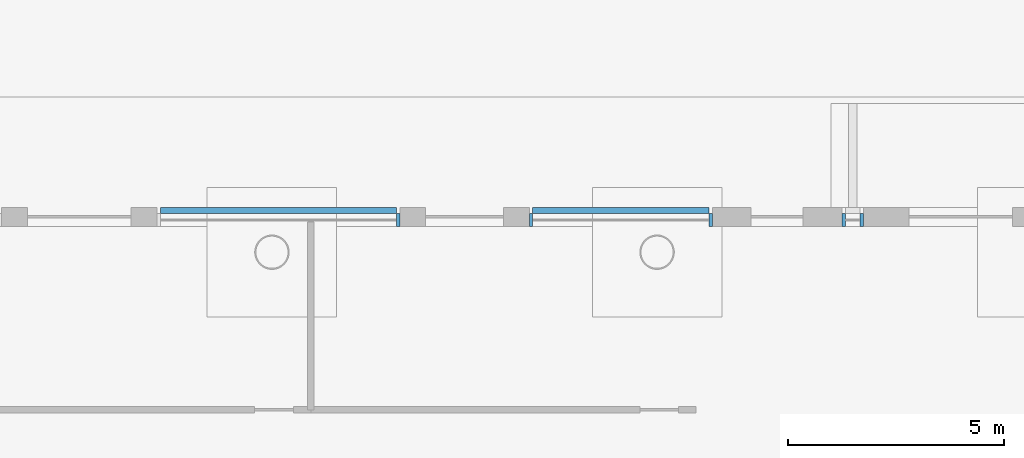
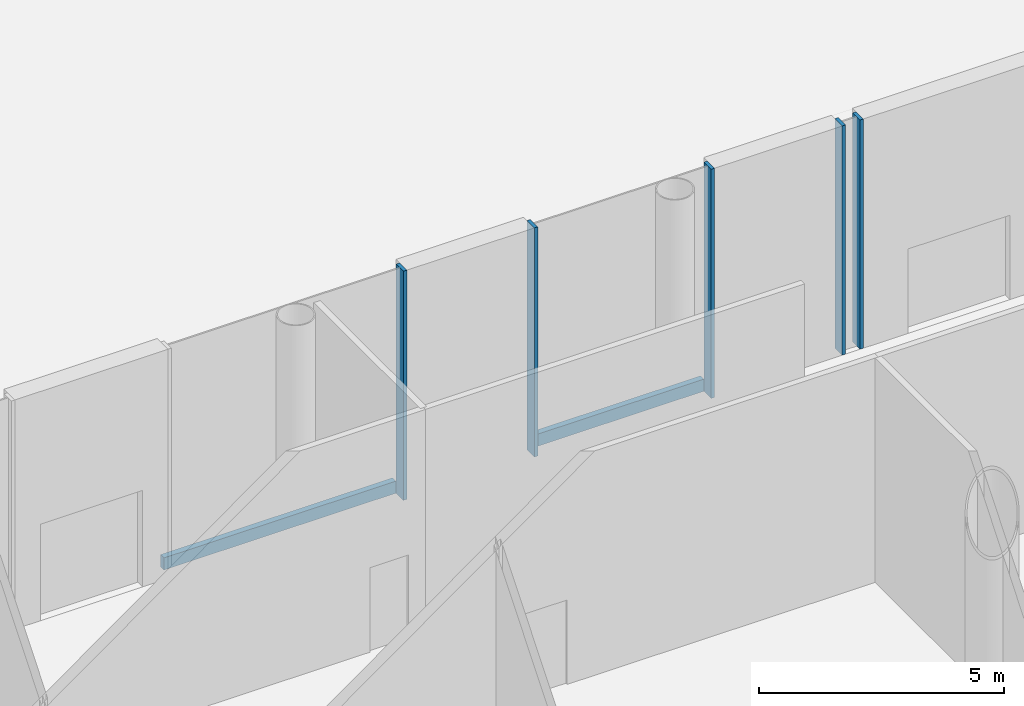
# One storey, part 13 of 75: 7 members, 3 elements without a shape of their own.
"""IFC4 building model written with IfcOpenShell, lengths in metres."""

from ifc_helpers import new_model, si_unit, direction, frame, origin, origin_2d, place, context, subcontext, project, spatial, rectangle, extrude, material, layer, layer_set, material_profile, profile_set, type_object, element, aggregate, save


model = new_model("IFC4")

# Units and contexts
model_context = context("Model", 3, precision=1e-05, world=origin(), true_north=direction((0.0, 1.0)))
body_context = subcontext(model_context, "Body", "Model", "MODEL_VIEW")
ifc_project = project(units=[si_unit("LENGTHUNIT", "METRE"), si_unit("AREAUNIT", "SQUARE_METRE"), si_unit("VOLUMEUNIT", "CUBIC_METRE"), si_unit("PLANEANGLEUNIT", "RADIAN"), si_unit("MASSUNIT", "GRAM", prefix="KILO")], contexts=[model_context])

# Site, building, storey
site_placement = place(None, origin())
site = spatial("IfcSite", under=ifc_project, at=site_placement, CompositionType="ELEMENT")
building_placement = place(site_placement, origin())
building = spatial("IfcBuilding", under=site, at=building_placement, Name="Ipe Terrace Towers", CompositionType="ELEMENT")
storey_placement = place(building_placement, origin())
storey = spatial("IfcBuildingStorey", under=building, at=storey_placement, Name="L00", CompositionType="ELEMENT", Elevation=0.0)

# Curtain wall, members
ifc_material_1 = material(Name="Aluminium alloy 6063-T6", Category="aluminium")
ifc_layer = layer(ifc_material_1, 0.43994140625)
ifc_layer_set = layer_set([ifc_layer], Name="PODIUM GLAZING CURTAIN WALL")
curtain_wall_type = type_object("IfcCurtainWallType", Name="PODIUM GLAZING CURTAIN WALL", PredefinedType="NOTDEFINED", material=ifc_layer_set)
curtain_wall_1_placement = place(storey_placement, origin())
curtain_wall_1 = element("IfcCurtainWall", 1, at=curtain_wall_1_placement, inside=storey, type_object=curtain_wall_type, Name="POD-CW-L00-01i curtain wall", PredefinedType="NOTDEFINED")
ifc_material_2 = material(Name="Aluminium alloy 6063-T6", Category="aluminium")
ifc_material_profile_1 = material_profile(ifc_material_2, rectangle(XDim=0.300048828125, YDim=0.080078125, at=origin_2d()), Name="PODIUM GLAZING MULLION 300 x 80")
ifc_profile_set_1 = profile_set([ifc_material_profile_1], Name="Aluminium alloy 6063-T6")
member_type_1 = type_object("IfcMemberType", Name="PODIUM GLAZING MULLION 300 x 80", PredefinedType="MULLION", material=ifc_profile_set_1)
member_1_placement = place(storey_placement, frame((33.7099609375, 33.89990234375, 0.0), z_axis=(0.0, 0.0, 1.0), x_axis=(0.0, 1.0, 0.0)))
member_1 = element("IfcMember", 2, at=member_1_placement, type_object=member_type_1, Name="POD-CW-L00-01i mullion 1", PredefinedType="MULLION", context=body_context, shape_type="SweptSolid", body=[
    extrude(rectangle(XDim=0.300048828125, YDim=0.080078125, at=origin_2d()), origin(), (0.0, 0.0, 1.0), 5.699951171875),
])
member_2_placement = place(storey_placement, frame((33.2900390625, 33.89990234375, 0.0), z_axis=(0.0, 0.0, 1.0), x_axis=(0.0, 1.0, 0.0)))
member_2 = element("IfcMember", 3, at=member_2_placement, type_object=member_type_1, Name="POD-CW-L00-01i mullion 2", PredefinedType="MULLION", context=body_context, shape_type="SweptSolid", body=[
    extrude(rectangle(XDim=0.300048828125, YDim=0.080078125, at=origin_2d()), origin(), (0.0, 0.0, 1.0), 5.699951171875),
])
aggregate(curtain_wall_1, [member_1, member_2])

curtain_wall_2_placement = place(storey_placement, origin())
curtain_wall_2 = element("IfcCurtainWall", 4, at=curtain_wall_2_placement, inside=storey, type_object=curtain_wall_type, Name="POD-CW-L00-01k curtain wall", PredefinedType="NOTDEFINED")
member_3_placement = place(storey_placement, frame((30.2099609375, 33.89990234375, 0.0), z_axis=(0.0, 0.0, 1.0), x_axis=(0.0, 1.0, 0.0)))
member_3 = element("IfcMember", 5, at=member_3_placement, type_object=member_type_1, Name="POD-CW-L00-01k mullion 1", PredefinedType="MULLION", context=body_context, shape_type="SweptSolid", body=[
    extrude(rectangle(XDim=0.300048828125, YDim=0.080078125, at=origin_2d()), origin(), (0.0, 0.0, 1.0), 5.699951171875),
])
member_4_placement = place(storey_placement, frame((26.050048828125, 33.89990234375, 0.0), z_axis=(0.0, 0.0, 1.0), x_axis=(0.0, 1.0, 0.0)))
member_4 = element("IfcMember", 6, at=member_4_placement, type_object=member_type_1, Name="POD-CW-L00-01k mullion 2", PredefinedType="MULLION", context=body_context, shape_type="SweptSolid", body=[
    extrude(rectangle(XDim=0.300048828125, YDim=0.080078125, at=origin_2d()), origin(), (0.0, 0.0, 1.0), 5.699951171875),
])

# Curtain wall, member
curtain_wall_3_placement = place(storey_placement, origin())
curtain_wall_3 = element("IfcCurtainWall", 7, at=curtain_wall_3_placement, inside=storey, type_object=curtain_wall_type, Name="POD-CW-L00-01m curtain wall", PredefinedType="NOTDEFINED")
member_5_placement = place(storey_placement, frame((22.969970703125, 33.89990234375, 0.0), z_axis=(0.0, 0.0, 1.0), x_axis=(0.0, 1.0, 0.0)))
member_5 = element("IfcMember", 8, at=member_5_placement, type_object=member_type_1, Name="POD-CW-L00-01m mullion 1", PredefinedType="MULLION", context=body_context, shape_type="SweptSolid", body=[
    extrude(rectangle(XDim=0.300048828125, YDim=0.080078125, at=origin_2d()), origin(), (0.0, 0.0, 1.0), 5.699951171875),
])

# Member
ifc_material_3 = material(Name="Aluminium alloy 6063-T6", Category="aluminium")
ifc_material_profile_2 = material_profile(ifc_material_3, rectangle(XDim=0.139892578125, YDim=0.300048828125, at=origin_2d()), Name="PODIUM GLAZING TRANSOM 140 x 300")
ifc_profile_set_2 = profile_set([ifc_material_profile_2], Name="Aluminium alloy 6063-T6")
member_type_2 = type_object("IfcMemberType", Name="PODIUM GLAZING TRANSOM 140 x 300", PredefinedType="USERDEFINED", material=ifc_profile_set_2)
member_6_placement = place(storey_placement, frame((30.169921875, 34.1201171875, 0.14990234375), z_axis=(-1.0, 0.0, 0.0), x_axis=(0.0, 1.0, 0.0)))
member_6 = element("IfcMember", 9, at=member_6_placement, type_object=member_type_2, Name="POD-CW-L00-01k transom", ObjectType="TRANSOM", PredefinedType="USERDEFINED", context=body_context, shape_type="SweptSolid", body=[
    extrude(rectangle(XDim=0.139892578125, YDim=0.300048828125, at=origin_2d()), origin(), (0.0, 0.0, 1.0), 4.079833984375),
])

aggregate(curtain_wall_2, [member_3, member_4, member_6])

member_7_placement = place(storey_placement, frame((22.929931640625, 34.1201171875, 0.14990234375), z_axis=(-1.0, 0.0, 0.0), x_axis=(0.0, 1.0, 0.0)))
member_7 = element("IfcMember", 10, at=member_7_placement, type_object=member_type_2, Name="POD-CW-L00-01m transom", ObjectType="TRANSOM", PredefinedType="USERDEFINED", context=body_context, shape_type="SweptSolid", body=[
    extrude(rectangle(XDim=0.139892578125, YDim=0.300048828125, at=origin_2d()), origin(), (0.0, 0.0, 1.0), 5.4599609375),
])

aggregate(curtain_wall_3, [member_5, member_7])

save(model, "model.ifc")
